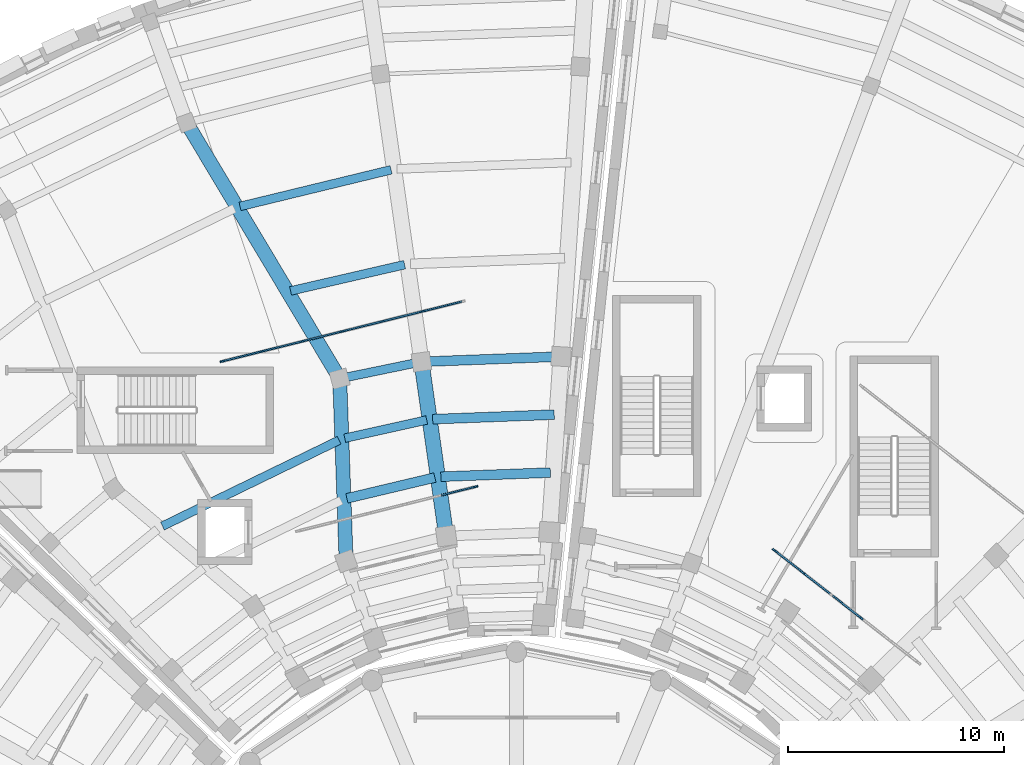
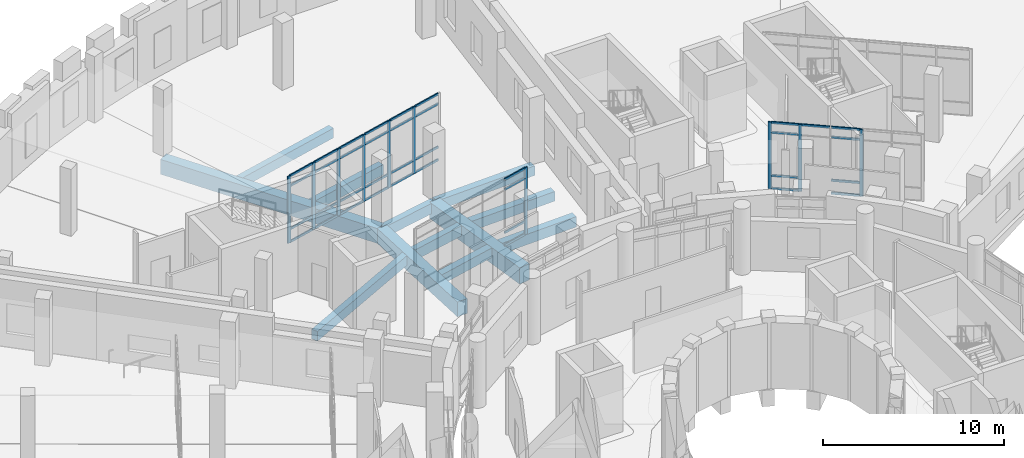
# One storey, part 32 of 89: 47 members, 12 beams, 3 elements without a shape of their own.
"""IFC4 building model written with IfcOpenShell, lengths in metres."""

from ifc_helpers import new_model, si_unit, direction, frame, origin, origin_2d, place, context, subcontext, project, spatial, rectangle, extrude, material, material_profile, profile_set, type_object, element, aggregate, save


model = new_model("IFC4")

# Units and contexts
model_context = context("Model", 3, precision=1e-05, world=origin(), true_north=direction((0.0, 1.0)))
body_context = subcontext(model_context, "Body", "Model", "MODEL_VIEW")
ifc_project = project(units=[si_unit("LENGTHUNIT", "METRE"), si_unit("AREAUNIT", "SQUARE_METRE"), si_unit("VOLUMEUNIT", "CUBIC_METRE"), si_unit("PLANEANGLEUNIT", "RADIAN"), si_unit("MASSUNIT", "GRAM", prefix="KILO")], contexts=[model_context])

# Site, building, storey
site_placement = place(None, origin())
site = spatial("IfcSite", under=ifc_project, at=site_placement, CompositionType="ELEMENT")
building_placement = place(site_placement, origin())
building = spatial("IfcBuilding", under=site, at=building_placement, Name="Soyqirgoq Riverine Aquarium", CompositionType="ELEMENT")
storey_placement = place(building_placement, frame((0.0, 0.0, 5.39990234375)))
storey = spatial("IfcBuildingStorey", under=building, at=storey_placement, Name="L02", CompositionType="ELEMENT", Elevation=5.39990234375)

# Beams
ifc_material_1 = material(Name="Concrete C40/50", Category="concrete")
ifc_material_profile_1 = material_profile(ifc_material_1, rectangle(XDim=0.39990234375, YDim=0.64990234375, at=origin_2d()), Name="RC 400x650")
ifc_profile_set_1 = profile_set([ifc_material_profile_1], Name="Concrete C40/50")
beam_type_1 = type_object("IfcBeamType", Name="Beam_RC_400x650", PredefinedType="BEAM", material=ifc_profile_set_1)
beam_1_placement = place(storey_placement, frame((47.791748046875, 84.25927734375, -0.625), z_axis=(-0.899175148102, -0.437588908722, 0.0), x_axis=(0.437588908722, -0.899175148102, 0.0)))
element("IfcBeam", 1, at=beam_1_placement, inside=storey, type_object=beam_type_1, Name="V4 L02 Secondary Floor Joist 0577", PredefinedType="BEAM", context=body_context, shape_type="SweptSolid", body=[
    extrude(rectangle(XDim=0.39990234375, YDim=0.64990234375, at=origin_2d()), origin(), (0.0, 0.0, 1.0), 9.09521484375),
])
beam_2_placement = place(storey_placement, frame((50.197998046875, 96.77734375, -0.625), z_axis=(-0.971787927417, -0.235856363336, 0.0), x_axis=(0.235856363336, -0.971787927417, 0.0)))
element("IfcBeam", 2, at=beam_2_placement, inside=storey, type_object=beam_type_1, Name="V4 L02 Secondary Floor Joist 0586", PredefinedType="BEAM", context=body_context, shape_type="SweptSolid", body=[
    extrude(rectangle(XDim=0.39990234375, YDim=0.64990234375, at=origin_2d()), origin(), (0.0, 0.0, 1.0), 7.1962890625),
])
ifc_material_2 = material(Name="Concrete C40/50", Category="concrete")
ifc_material_profile_2 = material_profile(ifc_material_2, rectangle(XDim=0.39990234375, YDim=0.699951171875, at=origin_2d()), Name="RC 400x700")
ifc_profile_set_2 = profile_set([ifc_material_profile_2], Name="Concrete C40/50")
beam_type_2 = type_object("IfcBeamType", Name="Beam_RC_400x700", PredefinedType="BEAM", material=ifc_profile_set_2)
beam_3_placement = place(storey_placement, frame((51.84619140625, 85.195556640625, -0.64990234375), z_axis=(-0.976074551465, -0.217436128513, 0.0), x_axis=(0.217436128513, -0.976074551465, 0.0)))
element("IfcBeam", 3, at=beam_3_placement, inside=storey, type_object=beam_type_2, Name="V4 L02 Secondary Floor Joist 0575", PredefinedType="BEAM", context=body_context, shape_type="SweptSolid", body=[
    extrude(rectangle(XDim=0.39990234375, YDim=0.699951171875, at=origin_2d()), origin(), (0.0, 0.0, 1.0), 3.885009765625),
])
beam_4_placement = place(storey_placement, frame((51.554931640625, 87.878662109375, -0.64990234375), z_axis=(-0.979400860491, -0.20192561618, 0.0), x_axis=(0.20192561618, -0.979400860491, 0.0)))
element("IfcBeam", 4, at=beam_4_placement, inside=storey, type_object=beam_type_2, Name="V4 L02 Wedge Chord Beam 0581", PredefinedType="BEAM", context=body_context, shape_type="SweptSolid", body=[
    extrude(rectangle(XDim=0.39990234375, YDim=0.699951171875, at=origin_2d()), origin(), (0.0, 0.0, 1.0), 3.763916015625),
])
beam_5_placement = place(storey_placement, frame((50.822998046875, 92.384765625, -0.64990234375), z_axis=(-0.974458007266, -0.224569793329, 0.0), x_axis=(0.224569793329, -0.974458007266, 0.0)))
element("IfcBeam", 5, at=beam_5_placement, inside=storey, type_object=beam_type_2, Name="V4 L02 Secondary Floor Joist 0585", PredefinedType="BEAM", context=body_context, shape_type="SweptSolid", body=[
    extrude(rectangle(XDim=0.39990234375, YDim=0.699951171875, at=origin_2d()), origin(), (0.0, 0.0, 1.0), 5.416259765625),
])
ifc_material_3 = material(Name="Concrete C40/50", Category="concrete")
ifc_material_profile_3 = material_profile(ifc_material_3, rectangle(XDim=0.449951171875, YDim=0.64990234375, at=origin_2d()), Name="RC 450x650")
ifc_profile_set_3 = profile_set([ifc_material_profile_3], Name="Concrete C40/50")
beam_type_3 = type_object("IfcBeamType", Name="Beam_RC_450x650", PredefinedType="BEAM", material=ifc_profile_set_3)
beam_6_placement = place(storey_placement, frame((57.74951171875, 85.442626953125, -0.625), z_axis=(-0.999294791735, -0.037548890946, 0.0), x_axis=(0.037548890946, -0.999294791735, 0.0)))
element("IfcBeam", 6, at=beam_6_placement, inside=storey, type_object=beam_type_3, Name="V4 L02 Secondary Floor Joist 0573", PredefinedType="BEAM", context=body_context, shape_type="SweptSolid", body=[
    extrude(rectangle(XDim=0.449951171875, YDim=0.64990234375, at=origin_2d()), origin(), (0.0, 0.0, 1.0), 5.630615234375),
])
beam_7_placement = place(storey_placement, frame((52.2255859375, 82.531005859375, -0.625), z_axis=(-0.973004184132, -0.230787472931, 0.0), x_axis=(0.230787472931, -0.973004184132, 0.0)))
element("IfcBeam", 7, at=beam_7_placement, inside=storey, type_object=beam_type_3, Name="V4 L02 Secondary Floor Joist 0574", PredefinedType="BEAM", context=body_context, shape_type="SweptSolid", body=[
    extrude(rectangle(XDim=0.449951171875, YDim=0.64990234375, at=origin_2d()), origin(), (0.0, 0.0, 1.0), 4.18701171875),
])
beam_8_placement = place(storey_placement, frame((58.017578125, 88.12939453125, -0.625), z_axis=(-0.999296861804, -0.037493759336, 0.0), x_axis=(0.037493759336, -0.999296861804, 0.0)))
element("IfcBeam", 8, at=beam_8_placement, inside=storey, type_object=beam_type_3, Name="V4 L02 Wedge Chord Beam 0580", PredefinedType="BEAM", context=body_context, shape_type="SweptSolid", body=[
    extrude(rectangle(XDim=0.449951171875, YDim=0.64990234375, at=origin_2d()), origin(), (0.0, 0.0, 1.0), 6.3681640625),
])
ifc_material_4 = material(Name="Concrete C40/50", Category="concrete")
ifc_material_profile_4 = material_profile(ifc_material_4, rectangle(XDim=0.449951171875, YDim=0.699951171875, at=origin_2d()), Name="RC 450x700")
ifc_profile_set_4 = profile_set([ifc_material_profile_4], Name="Concrete C40/50")
beam_type_4 = type_object("IfcBeamType", Name="Beam_RC_450x700", PredefinedType="BEAM", material=ifc_profile_set_4)
beam_9_placement = place(storey_placement, frame((57.5712890625, 82.759033203125, -0.64990234375), z_axis=(-0.999295248441, -0.037536734591, 0.0), x_axis=(0.037536734591, -0.999295248441, 0.0)))
element("IfcBeam", 9, at=beam_9_placement, inside=storey, type_object=beam_type_4, Name="V4 L02 Secondary Floor Joist 0572", PredefinedType="BEAM", context=body_context, shape_type="SweptSolid", body=[
    extrude(rectangle(XDim=0.449951171875, YDim=0.699951171875, at=origin_2d()), origin(), (0.0, 0.0, 1.0), 5.0732421875),
])

# Curtain wall, member
ifc_material_5 = material(Name="Cast polymethyl methacrylate PMMA Habitat Viewing Glazing", Category="glass")
curtain_wall_type = type_object("IfcCurtainWallType", Name="CW_Interior_TankVitrine", PredefinedType="NOTDEFINED", material=ifc_material_5)
curtain_wall_1_placement = place(storey_placement, origin())
curtain_wall_1 = element("IfcCurtainWall", 10, at=curtain_wall_1_placement, inside=storey, type_object=curtain_wall_type, Name="V4 L02 Curtain Wall 153", PredefinedType="NOTDEFINED")
ifc_material_6 = material(Name="Anodised aluminium 6063-T6", Category="aluminium")
ifc_material_profile_5 = material_profile(ifc_material_6, rectangle(XDim=0.080078125, YDim=0.219970703125, at=origin_2d()), Name="ALU-M 80x220")
ifc_profile_set_5 = profile_set([ifc_material_profile_5], Name="Anodised aluminium 6063-T6")
member_type_1 = type_object("IfcMemberType", Name="CWMullion_80x220", PredefinedType="MULLION", material=ifc_profile_set_5)
member_1_placement = place(storey_placement, frame((54.106201171875, 82.104736328125, 0.0), z_axis=(0.0, 0.0, 1.0), x_axis=(0.241922023881, -0.970295694292, 0.0)))
member_1 = element("IfcMember", 11, at=member_1_placement, type_object=member_type_1, Name="CW-07 mullion 1", PredefinedType="MULLION", context=body_context, shape_type="SweptSolid", body=[
    extrude(rectangle(XDim=0.080078125, YDim=0.219970703125, at=origin_2d()), origin(), (0.0, 0.0, 1.0), 4.5),
])

# Curtain wall, members
curtain_wall_2_placement = place(storey_placement, origin())
curtain_wall_2 = element("IfcCurtainWall", 12, at=curtain_wall_2_placement, inside=storey, type_object=curtain_wall_type, Name="V4 L02 Curtain Wall 154", PredefinedType="NOTDEFINED")
member_2_placement = place(storey_placement, frame((51.67919921875, 90.228271484375, 0.0), z_axis=(0.0, 0.0, 1.0), x_axis=(0.241925862079, -0.970294737313, 0.0)))
member_2 = element("IfcMember", 13, at=member_2_placement, type_object=member_type_1, Name="CW-07 mullion 2", PredefinedType="MULLION", context=body_context, shape_type="SweptSolid", body=[
    extrude(rectangle(XDim=0.080078125, YDim=0.219970703125, at=origin_2d()), origin(), (0.0, 0.0, 1.0), 4.5),
])
member_3_placement = place(storey_placement, frame((49.813232421875, 89.762939453125, 0.0), z_axis=(0.0, 0.0, 1.0), x_axis=(0.241925862079, -0.970294737313, 0.0)))
member_3 = element("IfcMember", 14, at=member_3_placement, type_object=member_type_1, Name="CW-07 mullion 3", PredefinedType="MULLION", context=body_context, shape_type="SweptSolid", body=[
    extrude(rectangle(XDim=0.080078125, YDim=0.219970703125, at=origin_2d()), origin(), (0.0, 0.0, 1.0), 4.5),
])
member_4_placement = place(storey_placement, frame((47.947265625, 89.2978515625, 0.0), z_axis=(0.0, 0.0, 1.0), x_axis=(0.241925862079, -0.970294737313, 0.0)))
member_4 = element("IfcMember", 15, at=member_4_placement, type_object=member_type_1, Name="CW-07 mullion 4", PredefinedType="MULLION", context=body_context, shape_type="SweptSolid", body=[
    extrude(rectangle(XDim=0.080078125, YDim=0.219970703125, at=origin_2d()), origin(), (0.0, 0.0, 1.0), 4.5),
])
member_5_placement = place(storey_placement, frame((46.081298828125, 88.83251953125, 0.0), z_axis=(0.0, 0.0, 1.0), x_axis=(0.241925862079, -0.970294737313, 0.0)))
member_5 = element("IfcMember", 16, at=member_5_placement, type_object=member_type_1, Name="CW-07 mullion 5", PredefinedType="MULLION", context=body_context, shape_type="SweptSolid", body=[
    extrude(rectangle(XDim=0.080078125, YDim=0.219970703125, at=origin_2d()), origin(), (0.0, 0.0, 1.0), 4.5),
])
member_6_placement = place(storey_placement, frame((44.21533203125, 88.3671875, 0.0), z_axis=(0.0, 0.0, 1.0), x_axis=(0.241925862079, -0.970294737313, 0.0)))
member_6 = element("IfcMember", 17, at=member_6_placement, type_object=member_type_1, Name="CW-07 mullion 6", PredefinedType="MULLION", context=body_context, shape_type="SweptSolid", body=[
    extrude(rectangle(XDim=0.080078125, YDim=0.219970703125, at=origin_2d()), origin(), (0.0, 0.0, 1.0), 4.5),
])
member_7_placement = place(storey_placement, frame((42.38818359375, 87.91162109375, 0.0), z_axis=(0.0, 0.0, 1.0), x_axis=(0.241925862079, -0.970294737313, 0.0)))
member_7 = element("IfcMember", 18, at=member_7_placement, type_object=member_type_1, Name="CW-07 mullion 7", PredefinedType="MULLION", context=body_context, shape_type="SweptSolid", body=[
    extrude(rectangle(XDim=0.080078125, YDim=0.219970703125, at=origin_2d()), origin(), (0.0, 0.0, 1.0), 4.5),
])

curtain_wall_3_placement = place(storey_placement, origin())
curtain_wall_3 = element("IfcCurtainWall", 19, at=curtain_wall_3_placement, inside=storey, type_object=curtain_wall_type, Name="V5 L02 Curtain Wall 159", PredefinedType="NOTDEFINED")
member_8_placement = place(storey_placement, frame((71.952880859375, 76.02978515625, 0.0), z_axis=(0.0, 0.0, 1.0), x_axis=(-0.615661060826, -0.788011077449, 0.0)))
member_8 = element("IfcMember", 20, at=member_8_placement, type_object=member_type_1, Name="CW-07 mullion 3", PredefinedType="MULLION", context=body_context, shape_type="SweptSolid", body=[
    extrude(rectangle(XDim=0.080078125, YDim=0.219970703125, at=origin_2d()), origin(), (0.0, 0.0, 1.0), 4.5),
])
member_9_placement = place(storey_placement, frame((69.25732421875, 78.1357421875, 0.0), z_axis=(0.0, 0.0, 1.0), x_axis=(-0.615661060826, -0.788011077449, 0.0)))
member_9 = element("IfcMember", 21, at=member_9_placement, type_object=member_type_1, Name="CW-07 mullion 5", PredefinedType="MULLION", context=body_context, shape_type="SweptSolid", body=[
    extrude(rectangle(XDim=0.080078125, YDim=0.219970703125, at=origin_2d()), origin(), (0.0, 0.0, 1.0), 4.5),
])
member_10_placement = place(storey_placement, frame((67.94091796875, 79.1640625, 0.0), z_axis=(0.0, 0.0, 1.0), x_axis=(-0.615661060826, -0.788011077449, 0.0)))
member_10 = element("IfcMember", 22, at=member_10_placement, type_object=member_type_1, Name="CW-07 mullion 6", PredefinedType="MULLION", context=body_context, shape_type="SweptSolid", body=[
    extrude(rectangle(XDim=0.080078125, YDim=0.219970703125, at=origin_2d()), origin(), (0.0, 0.0, 1.0), 4.5),
])

# Member
ifc_material_7 = material(Name="Anodised aluminium 6063-T6", Category="aluminium")
ifc_material_profile_6 = material_profile(ifc_material_7, rectangle(XDim=0.074951171875, YDim=0.14990234375, at=origin_2d()), Name="ALU-T 75x150")
ifc_profile_set_6 = profile_set([ifc_material_profile_6], Name="Anodised aluminium 6063-T6")
member_type_2 = type_object("IfcMemberType", Name="CWTransom_75x150", PredefinedType="USERDEFINED", material=ifc_profile_set_6)
member_11_placement = place(storey_placement, frame((54.0673828125, 82.094970703125, 0.03759765625), z_axis=(-0.970286823405, -0.241957600267, 0.0), x_axis=(0.241957600267, -0.970286823405, 0.0)))
member_11 = element("IfcMember", 23, at=member_11_placement, type_object=member_type_2, Name="CW-07 transom 1.1", ObjectType="TRANSOM", PredefinedType="USERDEFINED", context=body_context, shape_type="SweptSolid", body=[
    extrude(rectangle(XDim=0.074951171875, YDim=0.14990234375, at=origin_2d()), origin(), (0.0, 0.0, 1.0), 1.59033203125),
])

member_12_placement = place(storey_placement, frame((54.0673828125, 82.094970703125, 0.900146484375), z_axis=(-0.970286823405, -0.241957600267, 0.0), x_axis=(0.241957600267, -0.970286823405, 0.0)))
member_12 = element("IfcMember", 24, at=member_12_placement, type_object=member_type_2, Name="CW-07 transom 1.2", ObjectType="TRANSOM", PredefinedType="USERDEFINED", context=body_context, shape_type="SweptSolid", body=[
    extrude(rectangle(XDim=0.074951171875, YDim=0.14990234375, at=origin_2d()), origin(), (0.0, 0.0, 1.0), 1.59033203125),
])

member_13_placement = place(storey_placement, frame((54.0673828125, 82.094970703125, 3.800048828125), z_axis=(-0.970286823405, -0.241957600267, 0.0), x_axis=(0.241957600267, -0.970286823405, 0.0)))
member_13 = element("IfcMember", 25, at=member_13_placement, type_object=member_type_2, Name="CW-07 transom 1.3", ObjectType="TRANSOM", PredefinedType="USERDEFINED", context=body_context, shape_type="SweptSolid", body=[
    extrude(rectangle(XDim=0.074951171875, YDim=0.14990234375, at=origin_2d()), origin(), (0.0, 0.0, 1.0), 1.59033203125),
])

member_14_placement = place(storey_placement, frame((54.0673828125, 82.094970703125, 4.462646484375), z_axis=(-0.970286823405, -0.241957600267, 0.0), x_axis=(0.241957600267, -0.970286823405, 0.0)))
member_14 = element("IfcMember", 26, at=member_14_placement, type_object=member_type_2, Name="CW-07 transom 1.4", ObjectType="TRANSOM", PredefinedType="USERDEFINED", context=body_context, shape_type="SweptSolid", body=[
    extrude(rectangle(XDim=0.074951171875, YDim=0.14990234375, at=origin_2d()), origin(), (0.0, 0.0, 1.0), 1.59033203125),
])

aggregate(curtain_wall_1, [member_1, member_11, member_12, member_13, member_14])

member_15_placement = place(storey_placement, frame((53.467529296875, 90.674072265625, 0.03759765625), z_axis=(-0.970317477886, -0.241834637944, 0.0), x_axis=(0.241834637944, -0.970317477886, 0.0)))
member_15 = element("IfcMember", 27, at=member_15_placement, type_object=member_type_2, Name="CW-07 transom 1.1", ObjectType="TRANSOM", PredefinedType="USERDEFINED", context=body_context, shape_type="SweptSolid", body=[
    extrude(rectangle(XDim=0.074951171875, YDim=0.14990234375, at=origin_2d()), origin(), (0.0, 0.0, 1.0), 1.802978515625),
])

member_16_placement = place(storey_placement, frame((53.467529296875, 90.674072265625, 0.900146484375), z_axis=(-0.970317477886, -0.241834637944, 0.0), x_axis=(0.241834637944, -0.970317477886, 0.0)))
member_16 = element("IfcMember", 28, at=member_16_placement, type_object=member_type_2, Name="CW-07 transom 1.2", ObjectType="TRANSOM", PredefinedType="USERDEFINED", context=body_context, shape_type="SweptSolid", body=[
    extrude(rectangle(XDim=0.074951171875, YDim=0.14990234375, at=origin_2d()), origin(), (0.0, 0.0, 1.0), 1.802978515625),
])

member_17_placement = place(storey_placement, frame((53.467529296875, 90.674072265625, 3.800048828125), z_axis=(-0.970317477886, -0.241834637944, 0.0), x_axis=(0.241834637944, -0.970317477886, 0.0)))
member_17 = element("IfcMember", 29, at=member_17_placement, type_object=member_type_2, Name="CW-07 transom 1.3", ObjectType="TRANSOM", PredefinedType="USERDEFINED", context=body_context, shape_type="SweptSolid", body=[
    extrude(rectangle(XDim=0.074951171875, YDim=0.14990234375, at=origin_2d()), origin(), (0.0, 0.0, 1.0), 1.802978515625),
])

member_18_placement = place(storey_placement, frame((53.467529296875, 90.674072265625, 4.462646484375), z_axis=(-0.970317477886, -0.241834637944, 0.0), x_axis=(0.241834637944, -0.970317477886, 0.0)))
member_18 = element("IfcMember", 30, at=member_18_placement, type_object=member_type_2, Name="CW-07 transom 1.4", ObjectType="TRANSOM", PredefinedType="USERDEFINED", context=body_context, shape_type="SweptSolid", body=[
    extrude(rectangle(XDim=0.074951171875, YDim=0.14990234375, at=origin_2d()), origin(), (0.0, 0.0, 1.0), 1.802978515625),
])

member_19_placement = place(storey_placement, frame((51.640380859375, 90.218505859375, 0.03759765625), z_axis=(-0.970305912546, -0.241881037039, 0.0), x_axis=(0.241881037039, -0.970305912546, 0.0)))
member_19 = element("IfcMember", 31, at=member_19_placement, type_object=member_type_2, Name="CW-07 transom 2.1", ObjectType="TRANSOM", PredefinedType="USERDEFINED", context=body_context, shape_type="SweptSolid", body=[
    extrude(rectangle(XDim=0.074951171875, YDim=0.14990234375, at=origin_2d()), origin(), (0.0, 0.0, 1.0), 1.843017578125),
])

member_20_placement = place(storey_placement, frame((51.640380859375, 90.218505859375, 0.900146484375), z_axis=(-0.970305912546, -0.241881037039, 0.0), x_axis=(0.241881037039, -0.970305912546, 0.0)))
member_20 = element("IfcMember", 32, at=member_20_placement, type_object=member_type_2, Name="CW-07 transom 2.2", ObjectType="TRANSOM", PredefinedType="USERDEFINED", context=body_context, shape_type="SweptSolid", body=[
    extrude(rectangle(XDim=0.074951171875, YDim=0.14990234375, at=origin_2d()), origin(), (0.0, 0.0, 1.0), 1.843017578125),
])

member_21_placement = place(storey_placement, frame((51.640380859375, 90.218505859375, 3.800048828125), z_axis=(-0.970305912546, -0.241881037039, 0.0), x_axis=(0.241881037039, -0.970305912546, 0.0)))
member_21 = element("IfcMember", 33, at=member_21_placement, type_object=member_type_2, Name="CW-07 transom 2.3", ObjectType="TRANSOM", PredefinedType="USERDEFINED", context=body_context, shape_type="SweptSolid", body=[
    extrude(rectangle(XDim=0.074951171875, YDim=0.14990234375, at=origin_2d()), origin(), (0.0, 0.0, 1.0), 1.843017578125),
])

member_22_placement = place(storey_placement, frame((51.640380859375, 90.218505859375, 4.462646484375), z_axis=(-0.970305912546, -0.241881037039, 0.0), x_axis=(0.241881037039, -0.970305912546, 0.0)))
member_22 = element("IfcMember", 34, at=member_22_placement, type_object=member_type_2, Name="CW-07 transom 2.4", ObjectType="TRANSOM", PredefinedType="USERDEFINED", context=body_context, shape_type="SweptSolid", body=[
    extrude(rectangle(XDim=0.074951171875, YDim=0.14990234375, at=origin_2d()), origin(), (0.0, 0.0, 1.0), 1.843017578125),
])

member_23_placement = place(storey_placement, frame((49.7744140625, 89.75341796875, 0.03759765625), z_axis=(-0.970274816184, -0.242005745962, 0.0), x_axis=(0.242005745962, -0.970274816184, 0.0)))
member_23 = element("IfcMember", 35, at=member_23_placement, type_object=member_type_2, Name="CW-07 transom 3.1", ObjectType="TRANSOM", PredefinedType="USERDEFINED", context=body_context, shape_type="SweptSolid", body=[
    extrude(rectangle(XDim=0.074951171875, YDim=0.14990234375, at=origin_2d()), origin(), (0.0, 0.0, 1.0), 1.843017578125),
])

member_24_placement = place(storey_placement, frame((49.7744140625, 89.75341796875, 0.900146484375), z_axis=(-0.970274816184, -0.242005745962, 0.0), x_axis=(0.242005745962, -0.970274816184, 0.0)))
member_24 = element("IfcMember", 36, at=member_24_placement, type_object=member_type_2, Name="CW-07 transom 3.2", ObjectType="TRANSOM", PredefinedType="USERDEFINED", context=body_context, shape_type="SweptSolid", body=[
    extrude(rectangle(XDim=0.074951171875, YDim=0.14990234375, at=origin_2d()), origin(), (0.0, 0.0, 1.0), 1.843017578125),
])

member_25_placement = place(storey_placement, frame((49.7744140625, 89.75341796875, 3.800048828125), z_axis=(-0.970274816184, -0.242005745962, 0.0), x_axis=(0.242005745962, -0.970274816184, 0.0)))
member_25 = element("IfcMember", 37, at=member_25_placement, type_object=member_type_2, Name="CW-07 transom 3.3", ObjectType="TRANSOM", PredefinedType="USERDEFINED", context=body_context, shape_type="SweptSolid", body=[
    extrude(rectangle(XDim=0.074951171875, YDim=0.14990234375, at=origin_2d()), origin(), (0.0, 0.0, 1.0), 1.843017578125),
])

member_26_placement = place(storey_placement, frame((49.7744140625, 89.75341796875, 4.462646484375), z_axis=(-0.970274816184, -0.242005745962, 0.0), x_axis=(0.242005745962, -0.970274816184, 0.0)))
member_26 = element("IfcMember", 38, at=member_26_placement, type_object=member_type_2, Name="CW-07 transom 3.4", ObjectType="TRANSOM", PredefinedType="USERDEFINED", context=body_context, shape_type="SweptSolid", body=[
    extrude(rectangle(XDim=0.074951171875, YDim=0.14990234375, at=origin_2d()), origin(), (0.0, 0.0, 1.0), 1.843017578125),
])

member_27_placement = place(storey_placement, frame((47.908447265625, 89.2880859375, 0.03759765625), z_axis=(-0.970305912546, -0.241881037039, 0.0), x_axis=(0.241881037039, -0.970305912546, 0.0)))
member_27 = element("IfcMember", 39, at=member_27_placement, type_object=member_type_2, Name="CW-07 transom 4.1", ObjectType="TRANSOM", PredefinedType="USERDEFINED", context=body_context, shape_type="SweptSolid", body=[
    extrude(rectangle(XDim=0.074951171875, YDim=0.14990234375, at=origin_2d()), origin(), (0.0, 0.0, 1.0), 1.843017578125),
])

member_28_placement = place(storey_placement, frame((47.908447265625, 89.2880859375, 0.900146484375), z_axis=(-0.970305912546, -0.241881037039, 0.0), x_axis=(0.241881037039, -0.970305912546, 0.0)))
member_28 = element("IfcMember", 40, at=member_28_placement, type_object=member_type_2, Name="CW-07 transom 4.2", ObjectType="TRANSOM", PredefinedType="USERDEFINED", context=body_context, shape_type="SweptSolid", body=[
    extrude(rectangle(XDim=0.074951171875, YDim=0.14990234375, at=origin_2d()), origin(), (0.0, 0.0, 1.0), 1.843017578125),
])

member_29_placement = place(storey_placement, frame((47.908447265625, 89.2880859375, 3.800048828125), z_axis=(-0.970305912546, -0.241881037039, 0.0), x_axis=(0.241881037039, -0.970305912546, 0.0)))
member_29 = element("IfcMember", 41, at=member_29_placement, type_object=member_type_2, Name="CW-07 transom 4.3", ObjectType="TRANSOM", PredefinedType="USERDEFINED", context=body_context, shape_type="SweptSolid", body=[
    extrude(rectangle(XDim=0.074951171875, YDim=0.14990234375, at=origin_2d()), origin(), (0.0, 0.0, 1.0), 1.843017578125),
])

member_30_placement = place(storey_placement, frame((47.908447265625, 89.2880859375, 4.462646484375), z_axis=(-0.970305912546, -0.241881037039, 0.0), x_axis=(0.241881037039, -0.970305912546, 0.0)))
member_30 = element("IfcMember", 42, at=member_30_placement, type_object=member_type_2, Name="CW-07 transom 4.4", ObjectType="TRANSOM", PredefinedType="USERDEFINED", context=body_context, shape_type="SweptSolid", body=[
    extrude(rectangle(XDim=0.074951171875, YDim=0.14990234375, at=origin_2d()), origin(), (0.0, 0.0, 1.0), 1.843017578125),
])

member_31_placement = place(storey_placement, frame((46.04248046875, 88.82275390625, 0.03759765625), z_axis=(-0.970305912546, -0.241881037039, 0.0), x_axis=(0.241881037039, -0.970305912546, 0.0)))
member_31 = element("IfcMember", 43, at=member_31_placement, type_object=member_type_2, Name="CW-07 transom 5.1", ObjectType="TRANSOM", PredefinedType="USERDEFINED", context=body_context, shape_type="SweptSolid", body=[
    extrude(rectangle(XDim=0.074951171875, YDim=0.14990234375, at=origin_2d()), origin(), (0.0, 0.0, 1.0), 1.843017578125),
])

member_32_placement = place(storey_placement, frame((46.04248046875, 88.82275390625, 0.900146484375), z_axis=(-0.970305912546, -0.241881037039, 0.0), x_axis=(0.241881037039, -0.970305912546, 0.0)))
member_32 = element("IfcMember", 44, at=member_32_placement, type_object=member_type_2, Name="CW-07 transom 5.2", ObjectType="TRANSOM", PredefinedType="USERDEFINED", context=body_context, shape_type="SweptSolid", body=[
    extrude(rectangle(XDim=0.074951171875, YDim=0.14990234375, at=origin_2d()), origin(), (0.0, 0.0, 1.0), 1.843017578125),
])

member_33_placement = place(storey_placement, frame((46.04248046875, 88.82275390625, 3.800048828125), z_axis=(-0.970305912546, -0.241881037039, 0.0), x_axis=(0.241881037039, -0.970305912546, 0.0)))
member_33 = element("IfcMember", 45, at=member_33_placement, type_object=member_type_2, Name="CW-07 transom 5.3", ObjectType="TRANSOM", PredefinedType="USERDEFINED", context=body_context, shape_type="SweptSolid", body=[
    extrude(rectangle(XDim=0.074951171875, YDim=0.14990234375, at=origin_2d()), origin(), (0.0, 0.0, 1.0), 1.843017578125),
])

member_34_placement = place(storey_placement, frame((46.04248046875, 88.82275390625, 4.462646484375), z_axis=(-0.970305912546, -0.241881037039, 0.0), x_axis=(0.241881037039, -0.970305912546, 0.0)))
member_34 = element("IfcMember", 46, at=member_34_placement, type_object=member_type_2, Name="CW-07 transom 5.4", ObjectType="TRANSOM", PredefinedType="USERDEFINED", context=body_context, shape_type="SweptSolid", body=[
    extrude(rectangle(XDim=0.074951171875, YDim=0.14990234375, at=origin_2d()), origin(), (0.0, 0.0, 1.0), 1.843017578125),
])

member_35_placement = place(storey_placement, frame((44.176513671875, 88.357666015625, 0.03759765625), z_axis=(-0.970285696734, -0.241962118345, 0.0), x_axis=(0.241962118345, -0.970285696734, 0.0)))
member_35 = element("IfcMember", 47, at=member_35_placement, type_object=member_type_2, Name="CW-07 transom 6.1", ObjectType="TRANSOM", PredefinedType="USERDEFINED", context=body_context, shape_type="SweptSolid", body=[
    extrude(rectangle(XDim=0.074951171875, YDim=0.14990234375, at=origin_2d()), origin(), (0.0, 0.0, 1.0), 1.802978515625),
])

member_36_placement = place(storey_placement, frame((44.176513671875, 88.357666015625, 0.900146484375), z_axis=(-0.970285696734, -0.241962118345, 0.0), x_axis=(0.241962118345, -0.970285696734, 0.0)))
member_36 = element("IfcMember", 48, at=member_36_placement, type_object=member_type_2, Name="CW-07 transom 6.2", ObjectType="TRANSOM", PredefinedType="USERDEFINED", context=body_context, shape_type="SweptSolid", body=[
    extrude(rectangle(XDim=0.074951171875, YDim=0.14990234375, at=origin_2d()), origin(), (0.0, 0.0, 1.0), 1.802978515625),
])

member_37_placement = place(storey_placement, frame((44.176513671875, 88.357666015625, 3.800048828125), z_axis=(-0.970285696734, -0.241962118345, 0.0), x_axis=(0.241962118345, -0.970285696734, 0.0)))
member_37 = element("IfcMember", 49, at=member_37_placement, type_object=member_type_2, Name="CW-07 transom 6.3", ObjectType="TRANSOM", PredefinedType="USERDEFINED", context=body_context, shape_type="SweptSolid", body=[
    extrude(rectangle(XDim=0.074951171875, YDim=0.14990234375, at=origin_2d()), origin(), (0.0, 0.0, 1.0), 1.802978515625),
])

member_38_placement = place(storey_placement, frame((44.176513671875, 88.357666015625, 4.462646484375), z_axis=(-0.970285696734, -0.241962118345, 0.0), x_axis=(0.241962118345, -0.970285696734, 0.0)))
member_38 = element("IfcMember", 50, at=member_38_placement, type_object=member_type_2, Name="CW-07 transom 6.4", ObjectType="TRANSOM", PredefinedType="USERDEFINED", context=body_context, shape_type="SweptSolid", body=[
    extrude(rectangle(XDim=0.074951171875, YDim=0.14990234375, at=origin_2d()), origin(), (0.0, 0.0, 1.0), 1.802978515625),
])

aggregate(curtain_wall_2, [member_2, member_3, member_4, member_5, member_6, member_7, member_15, member_16, member_17, member_18, member_19, member_20, member_21, member_22, member_23, member_24, member_25, member_26, member_27, member_28, member_29, member_30, member_31, member_32, member_33, member_34, member_35, member_36, member_37, member_38])

member_39_placement = place(storey_placement, frame((71.92138671875, 76.054443359375, 0.03759765625), z_axis=(-0.788076584323, 0.615577206565, 0.0), x_axis=(-0.615577206565, -0.788076584323, 0.0)))
member_39 = element("IfcMember", 51, at=member_39_placement, type_object=member_type_2, Name="CW-07 transom 3.1", ObjectType="TRANSOM", PredefinedType="USERDEFINED", context=body_context, shape_type="SweptSolid", body=[
    extrude(rectangle(XDim=0.074951171875, YDim=0.14990234375, at=origin_2d()), origin(), (0.0, 0.0, 1.0), 1.63037109375),
])

member_40_placement = place(storey_placement, frame((71.92138671875, 76.054443359375, 0.900146484375), z_axis=(-0.788076584323, 0.615577206565, 0.0), x_axis=(-0.615577206565, -0.788076584323, 0.0)))
member_40 = element("IfcMember", 52, at=member_40_placement, type_object=member_type_2, Name="CW-07 transom 3.2", ObjectType="TRANSOM", PredefinedType="USERDEFINED", context=body_context, shape_type="SweptSolid", body=[
    extrude(rectangle(XDim=0.074951171875, YDim=0.14990234375, at=origin_2d()), origin(), (0.0, 0.0, 1.0), 1.63037109375),
])

member_41_placement = place(storey_placement, frame((71.92138671875, 76.054443359375, 3.800048828125), z_axis=(-0.788076584323, 0.615577206565, 0.0), x_axis=(-0.615577206565, -0.788076584323, 0.0)))
member_41 = element("IfcMember", 53, at=member_41_placement, type_object=member_type_2, Name="CW-07 transom 3.3", ObjectType="TRANSOM", PredefinedType="USERDEFINED", context=body_context, shape_type="SweptSolid", body=[
    extrude(rectangle(XDim=0.074951171875, YDim=0.14990234375, at=origin_2d()), origin(), (0.0, 0.0, 1.0), 1.63037109375),
])

member_42_placement = place(storey_placement, frame((71.92138671875, 76.054443359375, 4.462646484375), z_axis=(-0.788076584323, 0.615577206565, 0.0), x_axis=(-0.615577206565, -0.788076584323, 0.0)))
member_42 = element("IfcMember", 54, at=member_42_placement, type_object=member_type_2, Name="CW-07 transom 3.4", ObjectType="TRANSOM", PredefinedType="USERDEFINED", context=body_context, shape_type="SweptSolid", body=[
    extrude(rectangle(XDim=0.074951171875, YDim=0.14990234375, at=origin_2d()), origin(), (0.0, 0.0, 1.0), 1.63037109375),
])

member_43_placement = place(storey_placement, frame((70.573486328125, 77.107421875, 4.462646484375), z_axis=(-0.788019832869, 0.615649854223, 0.0), x_axis=(-0.615649854223, -0.788019832869, 0.0)))
member_43 = element("IfcMember", 55, at=member_43_placement, type_object=member_type_2, Name="CW-07 transom 4.4", ObjectType="TRANSOM", PredefinedType="USERDEFINED", context=body_context, shape_type="SweptSolid", body=[
    extrude(rectangle(XDim=0.074951171875, YDim=0.14990234375, at=origin_2d()), origin(), (0.0, 0.0, 1.0), 1.630126953125),
])

member_44_placement = place(storey_placement, frame((69.225830078125, 78.160400390625, 0.03759765625), z_axis=(-0.788036011203, 0.615629145709, 0.0), x_axis=(-0.615629145709, -0.788036011203, 0.0)))
member_44 = element("IfcMember", 56, at=member_44_placement, type_object=member_type_2, Name="CW-07 transom 5.1", ObjectType="TRANSOM", PredefinedType="USERDEFINED", context=body_context, shape_type="SweptSolid", body=[
    extrude(rectangle(XDim=0.074951171875, YDim=0.14990234375, at=origin_2d()), origin(), (0.0, 0.0, 1.0), 1.59033203125),
])

member_45_placement = place(storey_placement, frame((69.225830078125, 78.160400390625, 0.900146484375), z_axis=(-0.788036011203, 0.615629145709, 0.0), x_axis=(-0.615629145709, -0.788036011203, 0.0)))
member_45 = element("IfcMember", 57, at=member_45_placement, type_object=member_type_2, Name="CW-07 transom 5.2", ObjectType="TRANSOM", PredefinedType="USERDEFINED", context=body_context, shape_type="SweptSolid", body=[
    extrude(rectangle(XDim=0.074951171875, YDim=0.14990234375, at=origin_2d()), origin(), (0.0, 0.0, 1.0), 1.59033203125),
])

member_46_placement = place(storey_placement, frame((69.225830078125, 78.160400390625, 3.800048828125), z_axis=(-0.788036011203, 0.615629145709, 0.0), x_axis=(-0.615629145709, -0.788036011203, 0.0)))
member_46 = element("IfcMember", 58, at=member_46_placement, type_object=member_type_2, Name="CW-07 transom 5.3", ObjectType="TRANSOM", PredefinedType="USERDEFINED", context=body_context, shape_type="SweptSolid", body=[
    extrude(rectangle(XDim=0.074951171875, YDim=0.14990234375, at=origin_2d()), origin(), (0.0, 0.0, 1.0), 1.59033203125),
])

member_47_placement = place(storey_placement, frame((69.225830078125, 78.160400390625, 4.462646484375), z_axis=(-0.788036011203, 0.615629145709, 0.0), x_axis=(-0.615629145709, -0.788036011203, 0.0)))
member_47 = element("IfcMember", 59, at=member_47_placement, type_object=member_type_2, Name="CW-07 transom 5.4", ObjectType="TRANSOM", PredefinedType="USERDEFINED", context=body_context, shape_type="SweptSolid", body=[
    extrude(rectangle(XDim=0.074951171875, YDim=0.14990234375, at=origin_2d()), origin(), (0.0, 0.0, 1.0), 1.59033203125),
])

aggregate(curtain_wall_3, [member_8, member_9, member_10, member_39, member_40, member_41, member_42, member_43, member_44, member_45, member_46, member_47])

# Beams
ifc_material_8 = material(Name="Concrete C40/50", Category="concrete")
ifc_material_profile_7 = material_profile(ifc_material_8, rectangle(XDim=0.64990234375, YDim=1.0, at=origin_2d()), Name="RC 650x1000")
ifc_profile_set_7 = profile_set([ifc_material_profile_7], Name="Concrete C40/50")
beam_type_5 = type_object("IfcBeamType", Name="Girder_RC_650x1000", PredefinedType="BEAM", material=ifc_profile_set_7)
beam_10_placement = place(storey_placement, frame((48.114501953125, 78.7099609375, -0.7998046875), z_axis=(-0.035070236871, 0.999384850038, 0.0), x_axis=(-0.999384850038, -0.035070236871, 0.0)))
element("IfcBeam", 60, at=beam_10_placement, inside=storey, type_object=beam_type_5, Name="V4 L02 Wedge Radial Girder 0545", PredefinedType="BEAM", context=body_context, shape_type="SweptSolid", body=[
    extrude(rectangle(XDim=0.64990234375, YDim=1.0, at=origin_2d()), origin(), (0.0, 0.0, 1.0), 8.353759765625),
])
beam_11_placement = place(storey_placement, frame((47.7939453125, 87.1513671875, -0.7998046875), z_axis=(-0.513518519238, 0.858078510627, 0.0), x_axis=(-0.858078510627, -0.513518519238, 0.0)))
element("IfcBeam", 61, at=beam_11_placement, inside=storey, type_object=beam_type_5, Name="V4 L02 Wedge Radial Girder 0546", PredefinedType="BEAM", context=body_context, shape_type="SweptSolid", body=[
    extrude(rectangle(XDim=0.64990234375, YDim=1.0, at=origin_2d()), origin(), (0.0, 0.0, 1.0), 13.70849609375),
])
ifc_material_9 = material(Name="Concrete C40/50", Category="concrete")
ifc_material_profile_8 = material_profile(ifc_material_9, rectangle(XDim=0.699951171875, YDim=1.10009765625, at=origin_2d()), Name="RC 700x1100")
ifc_profile_set_8 = profile_set([ifc_material_profile_8], Name="Concrete C40/50")
beam_type_6 = type_object("IfcBeamType", Name="Girder_RC_700x1100", PredefinedType="BEAM", material=ifc_profile_set_8)
beam_12_placement = place(storey_placement, frame((52.7451171875, 79.869384765625, -0.849853515625), z_axis=(-0.140903336664, 0.990023358167, 0.0), x_axis=(-0.990023358167, -0.140903336664, 0.0)))
element("IfcBeam", 62, at=beam_12_placement, inside=storey, type_object=beam_type_6, Name="V4 L02 Wedge Radial Girder 0541", PredefinedType="BEAM", context=body_context, shape_type="SweptSolid", body=[
    extrude(rectangle(XDim=0.699951171875, YDim=1.10009765625, at=origin_2d()), origin(), (0.0, 0.0, 1.0), 8.050048828125),
])

save(model, "model.ifc")
